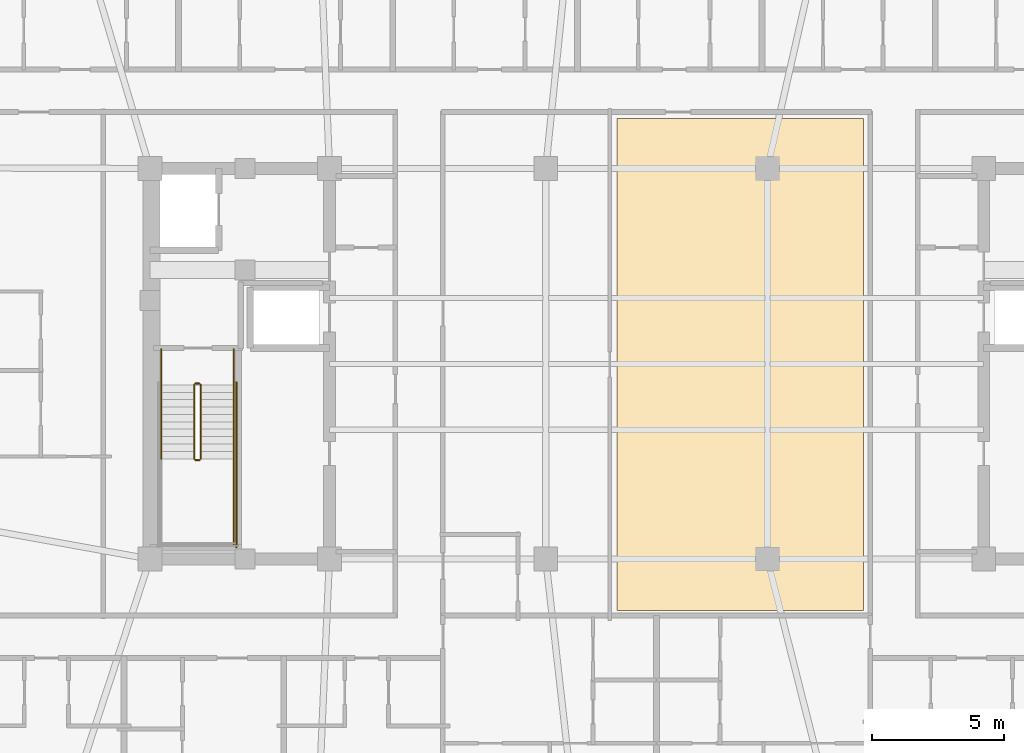
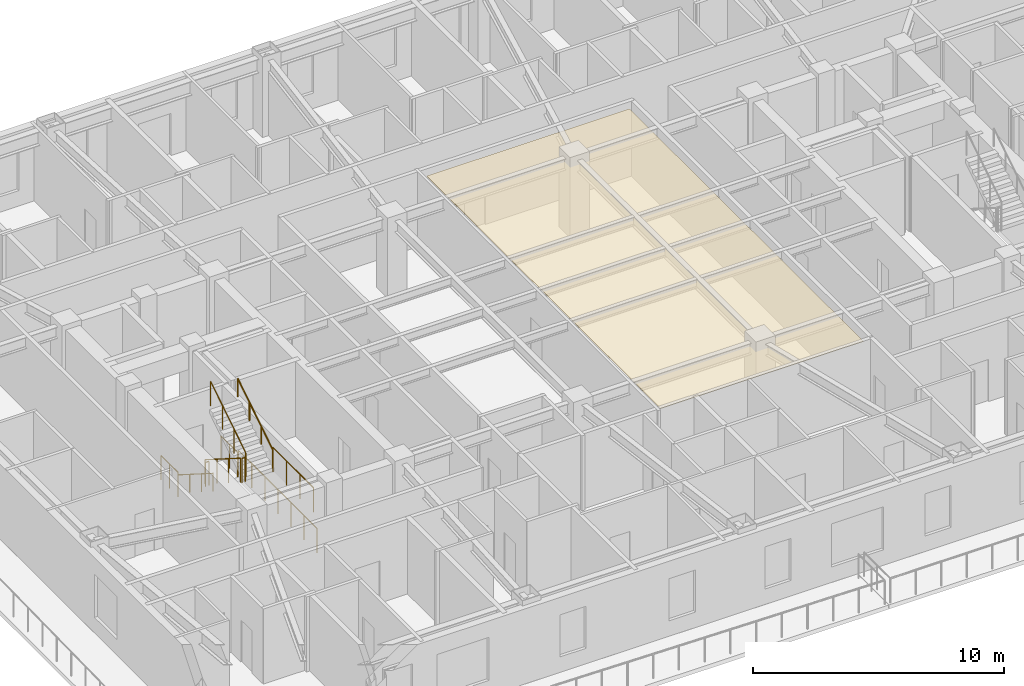
# One storey, part 12 of 15: 10 railings, 1 covering.
"""IFC4 building model written with IfcOpenShell, lengths in metres."""

from ifc_helpers import new_model, si_unit, direction, frame, origin, origin_2d, place, context, subcontext, project, spatial, polyline, circle, outline, extrude, material, layer, layer_set, type_object, element, save


model = new_model("IFC4")

# Units and contexts
model_context = context("Model", 3, precision=1e-05, world=origin(), true_north=direction((0.0, 1.0)))
body_context = subcontext(model_context, "Body", "Model", "MODEL_VIEW")
ifc_project = project(units=[si_unit("LENGTHUNIT", "METRE"), si_unit("AREAUNIT", "SQUARE_METRE"), si_unit("VOLUMEUNIT", "CUBIC_METRE"), si_unit("PLANEANGLEUNIT", "RADIAN"), si_unit("MASSUNIT", "GRAM", prefix="KILO")], contexts=[model_context])

# Site, building, storey
site_placement = place(None, origin())
site = spatial("IfcSite", under=ifc_project, at=site_placement, CompositionType="ELEMENT")
building_placement = place(site_placement, origin())
building = spatial("IfcBuilding", under=site, at=building_placement, Name="Voryun Gate Residences", CompositionType="ELEMENT")
storey_placement = place(building_placement, frame((0.0, 0.0, 231.39990234375)))
storey = spatial("IfcBuildingStorey", under=building, at=storey_placement, Name="L57", CompositionType="ELEMENT", Elevation=231.39990234375)

# Covering
ifc_material_1 = material(Name="Gypsum acoustic ceiling")
ifc_layer = layer(ifc_material_1, 0.02490234375, Name="COV_CEILING_ACOUSTIC")
ifc_layer_set = layer_set([ifc_layer], Name="Gypsum acoustic ceiling")
covering_type = type_object("IfcCoveringType", Name="COV_CEILING_ACOUSTIC", PredefinedType="CEILING", material=ifc_layer_set)
covering_placement = place(storey_placement, frame((0.0, 0.0, 3.400146484375)))
element("IfcCovering", 1, at=covering_placement, inside=storey, type_object=covering_type, Name="Acoustic ceiling CLG-L57-01", PredefinedType="CEILING", context=body_context, shape_type="SweptSolid", body=[
    extrude(outline(polyline([(-1.492919921875, -9.35009765625), (-1.492919921875, 9.300048828125), (7.840087890625, 9.300048828125), (7.840087890625, -9.35009765625), (-1.492919921875, -9.35009765625)])), origin(), (0.0, 0.0, 1.0), 0.02490234375),
])

# Railings
ifc_material_2 = material(Name="Painted steel", Category="steel")
railing_type_1 = type_object("IfcRailingType", Name="RAIL_STAIR_GUARD_1200", PredefinedType="GUARDRAIL", material=ifc_material_2)
railing_1_placement = place(storey_placement, frame((-17.52490234375, -0.800048828125, 0.177490234375)))
element("IfcRailing", 2, at=railing_1_placement, inside=storey, type_object=railing_type_1, Name="L57 ST-W1 stair guard 1", PredefinedType="GUARDRAIL", context=body_context, shape_type="SweptSolid", body=[
    extrude(circle(Radius=0.02392578125, at=origin_2d()), frame((0.0, 0.0, 1.17578125), z_axis=(0.0, -0.844908973607, 0.534910110503), x_axis=(1.0, 0.0, 0.0)), (0.0, 0.0, 1.0), 3.31396484375),
    extrude(circle(Radius=0.02099609375, at=origin_2d()), origin(), (0.0, 0.0, 1.0), 1.15185546875),
    extrude(circle(Radius=0.02099609375, at=origin_2d()), frame((0.0, -0.933349609375, 0.5908203125)), (0.0, 0.0, 1.0), 1.15185546875),
    extrude(circle(Radius=0.02099609375, at=origin_2d()), frame((0.0, -1.86669921875, 1.181884765625)), (0.0, 0.0, 1.0), 1.15185546875),
    extrude(circle(Radius=0.02099609375, at=origin_2d()), frame((0.0, -2.800048828125, 1.772705078125)), (0.0, 0.0, 1.0), 1.15185546875),
])
railing_2_placement = place(storey_placement, frame((-17.47509765625, -3.64990234375, 1.9501953125)))
element("IfcRailing", 3, at=railing_2_placement, inside=storey, type_object=railing_type_1, Name="L57 ST-W1 stair guard 2", PredefinedType="GUARDRAIL", context=body_context, shape_type="SweptSolid", body=[
    extrude(circle(Radius=0.02392578125, at=origin_2d()), frame((0.0, 0.0, 1.17578125), z_axis=(1.0, 0.0, 0.0), x_axis=(0.0, 1.0, 0.0)), (0.0, 0.0, 1.0), 0.150146484375),
    extrude(circle(Radius=0.02099609375, at=origin_2d()), origin(), (0.0, 0.0, 1.0), 1.15185546875),
    extrude(circle(Radius=0.02099609375, at=origin_2d()), frame((0.150146484375, 0.0, 0.0)), (0.0, 0.0, 1.0), 1.15185546875),
])
railing_3_placement = place(storey_placement, frame((-16.02490234375, -3.60009765625, 1.9501953125)))
element("IfcRailing", 4, at=railing_3_placement, inside=storey, type_object=railing_type_1, Name="L57 ST-W1 stair guard 4", PredefinedType="GUARDRAIL", context=body_context, shape_type="SweptSolid", body=[
    extrude(circle(Radius=0.02392578125, at=origin_2d()), frame((0.0, 0.0, 1.17578125), z_axis=(0.0, -1.0, 0.0), x_axis=(1.0, 0.0, 0.0)), (0.0, 0.0, 1.0), 3.25),
    extrude(circle(Radius=0.02099609375, at=origin_2d()), origin(), (0.0, 0.0, 1.0), 1.15185546875),
    extrude(circle(Radius=0.02099609375, at=origin_2d()), frame((0.0, -1.083251953125, 0.0)), (0.0, 0.0, 1.0), 1.15185546875),
    extrude(circle(Radius=0.02099609375, at=origin_2d()), frame((0.0, -2.166748046875, 0.0)), (0.0, 0.0, 1.0), 1.15185546875),
    extrude(circle(Radius=0.02099609375, at=origin_2d()), frame((0.0, -3.25, 0.0)), (0.0, 0.0, 1.0), 1.15185546875),
])
railing_4_placement = place(storey_placement, frame((-17.27490234375, -3.60009765625, 2.12744140625)))
element("IfcRailing", 5, at=railing_4_placement, inside=storey, type_object=railing_type_1, Name="L57 ST-W1 stair guard 6", PredefinedType="GUARDRAIL", context=body_context, shape_type="SweptSolid", body=[
    extrude(circle(Radius=0.02392578125, at=origin_2d()), frame((0.0, 0.0, 1.17578125), z_axis=(0.0, 0.844908973607, 0.534910110503), x_axis=(-1.0, 0.0, 0.0)), (0.0, 0.0, 1.0), 3.31396484375),
    extrude(circle(Radius=0.02099609375, at=origin_2d()), origin(), (0.0, 0.0, 1.0), 1.15185546875),
    extrude(circle(Radius=0.02099609375, at=origin_2d()), frame((0.0, 0.933349609375, 0.5908203125)), (0.0, 0.0, 1.0), 1.15185546875),
    extrude(circle(Radius=0.02099609375, at=origin_2d()), frame((0.0, 1.86669921875, 1.181884765625)), (0.0, 0.0, 1.0), 1.15185546875),
    extrude(circle(Radius=0.02099609375, at=origin_2d()), frame((0.0, 2.800048828125, 1.772705078125)), (0.0, 0.0, 1.0), 1.15185546875),
])
railing_5_placement = place(storey_placement, frame((-17.47509765625, -0.75, 0.0)))
element("IfcRailing", 6, at=railing_5_placement, inside=storey, type_object=railing_type_1, Name="L57 ST-W1 stair guard 7", PredefinedType="GUARDRAIL", context=body_context, shape_type="SweptSolid", body=[
    extrude(circle(Radius=0.02392578125, at=origin_2d()), frame((0.0, 0.0, 1.17578125), z_axis=(1.0, 0.0, 0.0), x_axis=(0.0, 1.0, 0.0)), (0.0, 0.0, 1.0), 0.150146484375),
    extrude(circle(Radius=0.02099609375, at=origin_2d()), origin(), (0.0, 0.0, 1.0), 1.15185546875),
    extrude(circle(Radius=0.02099609375, at=origin_2d()), frame((0.150146484375, 0.0, 0.0)), (0.0, 0.0, 1.0), 1.15185546875),
])
for number, where, name in (
    (7, (-18.77490234375, 0.550048828125, 0.0), "L57 ST-W1 stair guard 8"),
    (8, (-16.02490234375, 0.550048828125, 0.0), "L57 ST-W1 stair guard 9"),
):
    element("IfcRailing", number, at=place(storey_placement, frame(where)), inside=storey, type_object=railing_type_1, Name=name, PredefinedType="GUARDRAIL", context=body_context, shape_type="SweptSolid", body=[
        extrude(circle(Radius=0.02392578125, at=origin_2d()), frame((0.0, 0.0, 1.17578125), z_axis=(0.0, -1.0, 0.0), x_axis=(1.0, 0.0, 0.0)), (0.0, 0.0, 1.0), 1.35009765625),
        extrude(circle(Radius=0.02099609375, at=origin_2d()), origin(), (0.0, 0.0, 1.0), 1.15185546875),
        extrude(circle(Radius=0.02099609375, at=origin_2d()), frame((0.0, -0.675048828125, 0.0)), (0.0, 0.0, 1.0), 1.15185546875),
        extrude(circle(Radius=0.02099609375, at=origin_2d()), frame((0.0, -1.35009765625, 0.0)), (0.0, 0.0, 1.0), 1.15185546875),
    ])
railing_6_placement = place(storey_placement, frame((-15.925048828125, -0.699951171875, 0.0)))
element("IfcRailing", 9, at=railing_6_placement, inside=storey, type_object=railing_type_1, Name="L57 ST-W1 stair guard 11", PredefinedType="GUARDRAIL", context=body_context, shape_type="SweptSolid", body=[
    extrude(circle(Radius=0.02392578125, at=origin_2d()), frame((0.0, 0.0, 1.17578125), z_axis=(0.0, -1.0, 0.0), x_axis=(1.0, 0.0, 0.0)), (0.0, 0.0, 1.0), 6.25),
    extrude(circle(Radius=0.02099609375, at=origin_2d()), origin(), (0.0, 0.0, 1.0), 1.15185546875),
    extrude(circle(Radius=0.02099609375, at=origin_2d()), frame((0.0, -1.041748046875, 0.0)), (0.0, 0.0, 1.0), 1.15185546875),
    extrude(circle(Radius=0.02099609375, at=origin_2d()), frame((0.0, -2.083251953125, 0.0)), (0.0, 0.0, 1.0), 1.15185546875),
    extrude(circle(Radius=0.02099609375, at=origin_2d()), frame((0.0, -3.125, 0.0)), (0.0, 0.0, 1.0), 1.15185546875),
    extrude(circle(Radius=0.02099609375, at=origin_2d()), frame((0.0, -4.166748046875, 0.0)), (0.0, 0.0, 1.0), 1.15185546875),
    extrude(circle(Radius=0.02099609375, at=origin_2d()), frame((0.0, -5.208251953125, 0.0)), (0.0, 0.0, 1.0), 1.15185546875),
    extrude(circle(Radius=0.02099609375, at=origin_2d()), frame((0.0, -6.25, 0.0)), (0.0, 0.0, 1.0), 1.15185546875),
])
ifc_material_3 = material(Name="Painted steel", Category="steel")
railing_type_2 = type_object("IfcRailingType", Name="RAIL_STAIR_HANDRAIL_900", PredefinedType="HANDRAIL", material=ifc_material_3)
railing_7_placement = place(storey_placement, frame((-18.77490234375, -0.800048828125, 0.177490234375)))
element("IfcRailing", 10, at=railing_7_placement, inside=storey, type_object=railing_type_2, Name="L57 ST-W1 stair handrail 1", PredefinedType="HANDRAIL", context=body_context, shape_type="SweptSolid", body=[
    extrude(circle(Radius=0.02392578125, at=origin_2d()), frame((0.0, 0.0, 0.8759765625), z_axis=(0.0, -0.844908973607, 0.534910110503), x_axis=(1.0, 0.0, 0.0)), (0.0, 0.0, 1.0), 3.31396484375),
    extrude(circle(Radius=0.02099609375, at=origin_2d()), origin(), (0.0, 0.0, 1.0), 0.851806640625),
    extrude(circle(Radius=0.02099609375, at=origin_2d()), frame((0.0, -0.933349609375, 0.5908203125)), (0.0, 0.0, 1.0), 0.851806640625),
    extrude(circle(Radius=0.02099609375, at=origin_2d()), frame((0.0, -1.86669921875, 1.181884765625)), (0.0, 0.0, 1.0), 0.851806640625),
    extrude(circle(Radius=0.02099609375, at=origin_2d()), frame((0.0, -2.800048828125, 1.772705078125)), (0.0, 0.0, 1.0), 0.851806640625),
])
railing_8_placement = place(storey_placement, frame((-16.02490234375, -3.60009765625, 2.12744140625)))
element("IfcRailing", 11, at=railing_8_placement, inside=storey, type_object=railing_type_2, Name="L57 ST-W1 stair handrail 2", PredefinedType="HANDRAIL", context=body_context, shape_type="SweptSolid", body=[
    extrude(circle(Radius=0.02392578125, at=origin_2d()), frame((0.0, 0.0, 0.8759765625), z_axis=(0.0, 0.844908973607, 0.534910110503), x_axis=(-1.0, 0.0, 0.0)), (0.0, 0.0, 1.0), 3.31396484375),
    extrude(circle(Radius=0.02099609375, at=origin_2d()), origin(), (0.0, 0.0, 1.0), 0.851806640625),
    extrude(circle(Radius=0.02099609375, at=origin_2d()), frame((0.0, 0.933349609375, 0.5908203125)), (0.0, 0.0, 1.0), 0.851806640625),
    extrude(circle(Radius=0.02099609375, at=origin_2d()), frame((0.0, 1.86669921875, 1.181884765625)), (0.0, 0.0, 1.0), 0.851806640625),
    extrude(circle(Radius=0.02099609375, at=origin_2d()), frame((0.0, 2.800048828125, 1.772705078125)), (0.0, 0.0, 1.0), 0.851806640625),
])

save(model, "model.ifc")
